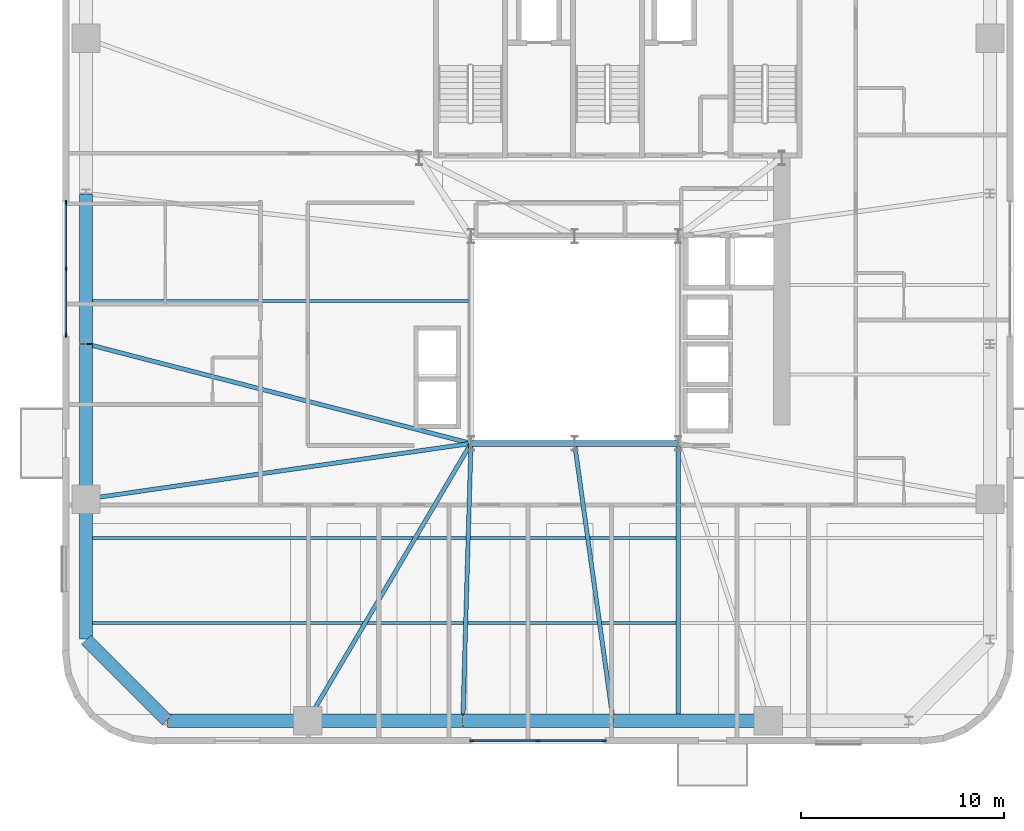
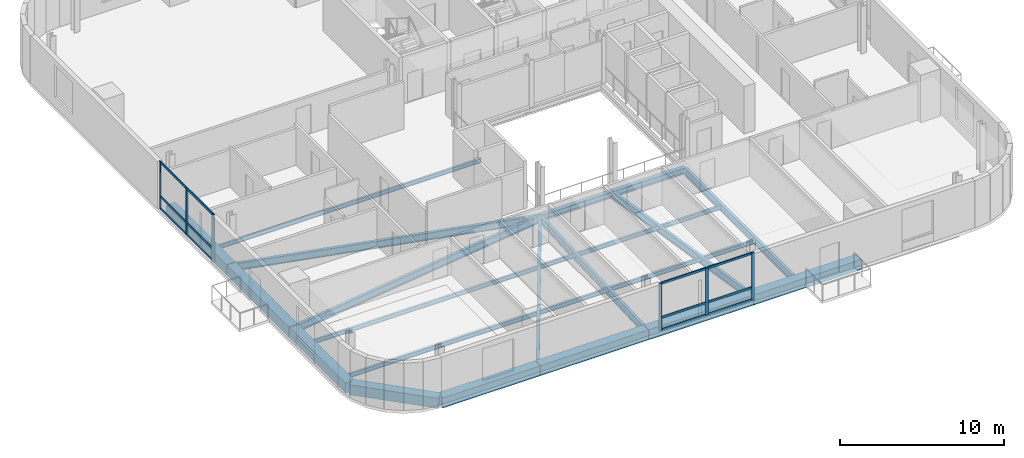
# One storey, part 3 of 16: 19 beams, 18 members, 2 elements without a shape of their own.
"""IFC4 building model written with IfcOpenShell, lengths in metres."""

from ifc_helpers import new_model, si_unit, direction, frame, origin, origin_2d, place, context, subcontext, project, spatial, rectangle, i_section, extrude, source, transform, mapped, material, material_profile, profile_set, type_object, element, aggregate, save


model = new_model("IFC4")

# Units and contexts
model_context = context("Model", 3, precision=1e-05, world=origin(), true_north=direction((0.0, 1.0)))
body_context = subcontext(model_context, "Body", "Model", "MODEL_VIEW")
ifc_project = project(units=[si_unit("LENGTHUNIT", "METRE"), si_unit("AREAUNIT", "SQUARE_METRE"), si_unit("VOLUMEUNIT", "CUBIC_METRE"), si_unit("PLANEANGLEUNIT", "RADIAN"), si_unit("MASSUNIT", "GRAM", prefix="KILO")], contexts=[model_context])

# Site, building, storey
site_placement = place(None, origin())
site = spatial("IfcSite", under=ifc_project, at=site_placement, CompositionType="ELEMENT")
building_placement = place(site_placement, origin())
building = spatial("IfcBuilding", under=site, at=building_placement, Name="Vardaveli Station Tower", CompositionType="ELEMENT")
storey_placement = place(building_placement, frame((0.0, 0.0, 222.300048828125)))
storey = spatial("IfcBuildingStorey", under=building, at=storey_placement, Name="L57", CompositionType="ELEMENT", Elevation=222.300048828125)

# Beams
ifc_material_1 = material(Name="Structural steel S355J2", Category="steel")
ifc_material_profile_1 = material_profile(ifc_material_1, i_section(OverallWidth=0.300048828125, OverallDepth=0.449951171875, WebThickness=0.013916015625, FlangeThickness=0.02587890625, FilletRadius=0.027099609375, at=origin_2d()), Name="HEB 450")
ifc_profile_set_1 = profile_set([ifc_material_profile_1], Name="Structural steel S355J2")
beam_type_1 = type_object("IfcBeamType", Name="BM-HEB450", PredefinedType="BEAM", material=ifc_profile_set_1)
shared_shape_1 = source(origin(), body_context, "Body", "SweptSolid", [
    extrude(i_section(OverallWidth=0.300048828125, OverallDepth=0.449951171875, WebThickness=0.013916015625, FlangeThickness=0.02587890625, FilletRadius=0.027099609375, at=origin_2d()), origin(), (0.0, 0.0, 1.0), 5.06005859375),
])
beam_1_placement = place(storey_placement, frame((31.219970703125, 16.60009765625, -0.445068359375), z_axis=(1.0, 0.0, 0.0), x_axis=(0.0, 1.0, 0.0)))
element("IfcBeam", 1, at=beam_1_placement, inside=storey, type_object=beam_type_1, Name="ABM-L57-01", PredefinedType="BEAM", context=body_context, shape_type="MappedRepresentation", body=[
    mapped(shared_shape_1, transform((0.0, 0.0, 0.0), scale=1.0)),
])
shared_shape_2 = source(origin(), body_context, "Body", "SweptSolid", [
    extrude(i_section(OverallWidth=0.300048828125, OverallDepth=0.449951171875, WebThickness=0.013916015625, FlangeThickness=0.02587890625, FilletRadius=0.027099609375, at=origin_2d()), origin(), (0.0, 0.0, 1.0), 5.059814453125),
])
beam_2_placement = place(storey_placement, frame((36.320068359375, 16.60009765625, -0.445068359375), z_axis=(1.0, 0.0, 0.0), x_axis=(0.0, 1.0, 0.0)))
element("IfcBeam", 2, at=beam_2_placement, inside=storey, type_object=beam_type_1, Name="ABM-L57-02", PredefinedType="BEAM", context=body_context, shape_type="MappedRepresentation", body=[
    mapped(shared_shape_2, transform((0.0, 0.0, 0.0), scale=1.0)),
])
ifc_material_2 = material(Name="Precast concrete C45/55", Category="concrete")
ifc_material_profile_2 = material_profile(ifc_material_2, rectangle(XDim=0.64990234375, YDim=0.75, at=origin_2d()), Name="LPB 650x750")
ifc_profile_set_2 = profile_set([ifc_material_profile_2], Name="Precast concrete C45/55")
beam_type_2 = type_object("IfcBeamType", Name="BM-LPB-750", PredefinedType="BEAM", material=ifc_profile_set_2)
shared_shape_3 = source(origin(), body_context, "Body", "SweptSolid", [
    extrude(rectangle(XDim=0.64990234375, YDim=0.75, at=origin_2d()), origin(), (0.0, 0.0, 1.0), 7.60009765625),
])
for number, where, z_axis, x_axis, name in (
    (3, (23.179931640625, 2.949951171875, -0.594970703125), (1.0, 0.0, 0.0), (0.0, 1.0, 0.0), "RBM-L57-01"),
    (4, (38.219970703125, 2.949951171875, -0.594970703125), (1.0, 0.0, 0.0), (0.0, 1.0, 0.0), "RBM-L57-03"),
    (5, (12.25, 21.47998046875, -0.594970703125), (0.0, -1.0, 0.0), (1.0, 0.0, 0.0), "RBM-L57-21"),
):
    element("IfcBeam", number, at=place(storey_placement, frame(where, z_axis=z_axis, x_axis=x_axis)), inside=storey, type_object=beam_type_2, Name=name, PredefinedType="BEAM", context=body_context, shape_type="MappedRepresentation", body=[
        mapped(shared_shape_3, transform((0.0, 0.0, 0.0), scale=1.0)),
    ])
shared_shape_4 = source(origin(), body_context, "Body", "SweptSolid", [
    extrude(rectangle(XDim=0.64990234375, YDim=0.75, at=origin_2d()), origin(), (0.0, 0.0, 1.0), 7.35986328125),
])
for number, where, z_axis, x_axis, name in (
    (6, (30.820068359375, 2.949951171875, -0.594970703125), (1.0, 0.0, 0.0), (0.0, 1.0, 0.0), "RBM-L57-02"),
    (7, (12.25, 28.8798828125, -0.594970703125), (0.0, -1.0, 0.0), (1.0, 0.0, 0.0), "RBM-L57-20"),
):
    element("IfcBeam", number, at=place(storey_placement, frame(where, z_axis=z_axis, x_axis=x_axis)), inside=storey, type_object=beam_type_2, Name=name, PredefinedType="BEAM", context=body_context, shape_type="MappedRepresentation", body=[
        mapped(shared_shape_4, transform((0.0, 0.0, 0.0), scale=1.0)),
    ])
shared_shape_5 = source(origin(), body_context, "Body", "SweptSolid", [
    extrude(rectangle(XDim=0.64990234375, YDim=0.75, at=origin_2d()), origin(), (0.0, 0.0, 1.0), 6.869873046875),
])
beam_3_placement = place(storey_placement, frame((16.27001953125, 2.949951171875, -0.594970703125), z_axis=(1.0, 0.0, 0.0), x_axis=(0.0, 1.0, 0.0)))
element("IfcBeam", 8, at=beam_3_placement, inside=storey, type_object=beam_type_2, Name="RBM-L57-24", PredefinedType="BEAM", context=body_context, shape_type="MappedRepresentation", body=[
    mapped(shared_shape_5, transform((0.0, 0.0, 0.0), scale=1.0)),
])
shared_shape_6 = source(origin(), body_context, "Body", "SweptSolid", [
    extrude(rectangle(XDim=0.64990234375, YDim=0.75, at=origin_2d()), origin(), (0.0, 0.0, 1.0), 5.61669921875),
])
beam_4_placement = place(storey_placement, frame((12.26416015625, 6.935791015625, -0.594970703125), z_axis=(0.707106781187, -0.707106781187, 0.0), x_axis=(0.707106781187, 0.707106781187, 0.0)))
element("IfcBeam", 9, at=beam_4_placement, inside=storey, type_object=beam_type_2, Name="RBM-L57-23", PredefinedType="BEAM", context=body_context, shape_type="MappedRepresentation", body=[
    mapped(shared_shape_6, transform((0.0, 0.0, 0.0), scale=1.0)),
])
shared_shape_7 = source(origin(), body_context, "Body", "SweptSolid", [
    extrude(rectangle(XDim=0.64990234375, YDim=0.75, at=origin_2d()), origin(), (0.0, 0.0, 1.0), 6.8701171875),
])
beam_5_placement = place(storey_placement, frame((12.25, 13.840087890625, -0.594970703125), z_axis=(0.0, -1.0, 0.0), x_axis=(1.0, 0.0, 0.0)))
element("IfcBeam", 10, at=beam_5_placement, inside=storey, type_object=beam_type_2, Name="RBM-L57-22", PredefinedType="BEAM", context=body_context, shape_type="MappedRepresentation", body=[
    mapped(shared_shape_7, transform((0.0, 0.0, 0.0), scale=1.0)),
])
ifc_material_profile_3 = material_profile(ifc_material_1, i_section(OverallWidth=0.2099609375, OverallDepth=0.550048828125, WebThickness=0.010986328125, FlangeThickness=0.01708984375, FilletRadius=0.02392578125, at=origin_2d()), Name="IPE 550")
ifc_profile_set_3 = profile_set([ifc_material_profile_3], Name="Structural steel S355J2")
beam_type_3 = type_object("IfcBeamType", Name="BM-IPE550", PredefinedType="BEAM", material=ifc_profile_set_3)
shared_shape_8 = source(origin(), body_context, "Body", "SweptSolid", [
    extrude(i_section(OverallWidth=0.2099609375, OverallDepth=0.550048828125, WebThickness=0.010986328125, FlangeThickness=0.01708984375, FilletRadius=0.02392578125, at=origin_2d()), origin(), (0.0, 0.0, 1.0), 13.469970703125),
])
beam_6_placement = place(storey_placement, frame((41.39990234375, 2.989990234375, -0.4951171875), z_axis=(0.0, 1.0, 0.0), x_axis=(-1.0, 0.0, 0.0)))
element("IfcBeam", 11, at=beam_6_placement, inside=storey, type_object=beam_type_3, Name="NSM-L57-S2", PredefinedType="BEAM", context=body_context, shape_type="MappedRepresentation", body=[
    mapped(shared_shape_8, transform((0.0, 0.0, 0.0), scale=1.0)),
])
shared_shape_9 = source(origin(), body_context, "Body", "SweptSolid", [
    extrude(i_section(OverallWidth=0.2099609375, OverallDepth=0.550048828125, WebThickness=0.010986328125, FlangeThickness=0.01708984375, FilletRadius=0.02392578125, at=origin_2d()), origin(), (0.0, 0.0, 1.0), 15.8017578125),
])
beam_7_placement = place(storey_placement, frame((23.170166015625, 2.96728515625, -0.4951171875), z_axis=(0.507521713546, 0.86163896748, 0.0), x_axis=(-0.86163896748, 0.507521713546, 0.0)))
element("IfcBeam", 12, at=beam_7_placement, inside=storey, type_object=beam_type_3, Name="GBM-L57-01", PredefinedType="BEAM", context=body_context, shape_type="MappedRepresentation", body=[
    mapped(shared_shape_9, transform((0.0, 0.0, 0.0), scale=1.0)),
])
shared_shape_10 = source(origin(), body_context, "Body", "SweptSolid", [
    extrude(i_section(OverallWidth=0.2099609375, OverallDepth=0.550048828125, WebThickness=0.010986328125, FlangeThickness=0.01708984375, FilletRadius=0.02392578125, at=origin_2d()), origin(), (0.0, 0.0, 1.0), 13.615966796875),
])
beam_8_placement = place(storey_placement, frame((30.800537109375, 2.969970703125, -0.4951171875), z_axis=(0.029298411379, 0.9995707094, 0.0), x_axis=(-0.9995707094, 0.029298411379, 0.0)))
element("IfcBeam", 13, at=beam_8_placement, inside=storey, type_object=beam_type_3, Name="GBM-L57-02", PredefinedType="BEAM", context=body_context, shape_type="MappedRepresentation", body=[
    mapped(shared_shape_10, transform((0.0, 0.0, 0.0), scale=1.0)),
])
shared_shape_11 = source(origin(), body_context, "Body", "SweptSolid", [
    extrude(i_section(OverallWidth=0.2099609375, OverallDepth=0.550048828125, WebThickness=0.010986328125, FlangeThickness=0.01708984375, FilletRadius=0.02392578125, at=origin_2d()), origin(), (0.0, 0.0, 1.0), 13.741455078125),
])
beam_9_placement = place(storey_placement, frame((38.197265625, 2.9697265625, -0.4951171875), z_axis=(-0.137868554024, 0.990450534762, 0.0), x_axis=(-0.990450534762, -0.137868554024, 0.0)))
element("IfcBeam", 14, at=beam_9_placement, inside=storey, type_object=beam_type_3, Name="GBM-L57-03", PredefinedType="BEAM", context=body_context, shape_type="MappedRepresentation", body=[
    mapped(shared_shape_11, transform((0.0, 0.0, 0.0), scale=1.0)),
])
shared_shape_12 = source(origin(), body_context, "Body", "SweptSolid", [
    extrude(i_section(OverallWidth=0.2099609375, OverallDepth=0.550048828125, WebThickness=0.010986328125, FlangeThickness=0.01708984375, FilletRadius=0.02392578125, at=origin_2d()), origin(), (0.0, 0.0, 1.0), 19.533447265625),
])
beam_10_placement = place(storey_placement, frame((12.269287109375, 21.494873046875, -0.4951171875), z_axis=(0.968159081778, -0.250335759272, 0.0), x_axis=(0.250335759272, 0.968159081778, 0.0)))
element("IfcBeam", 15, at=beam_10_placement, inside=storey, type_object=beam_type_3, Name="GBM-L57-09", PredefinedType="BEAM", context=body_context, shape_type="MappedRepresentation", body=[
    mapped(shared_shape_12, transform((0.0, 0.0, 0.0), scale=1.0)),
])
shared_shape_13 = source(origin(), body_context, "Body", "SweptSolid", [
    extrude(i_section(OverallWidth=0.2099609375, OverallDepth=0.550048828125, WebThickness=0.010986328125, FlangeThickness=0.01708984375, FilletRadius=0.02392578125, at=origin_2d()), origin(), (0.0, 0.0, 1.0), 19.107177734375),
])
beam_11_placement = place(storey_placement, frame((12.269775390625, 13.86279296875, -0.4951171875), z_axis=(0.989707072711, 0.143108036903, 0.0), x_axis=(-0.143108036903, 0.989707072711, 0.0)))
element("IfcBeam", 16, at=beam_11_placement, inside=storey, type_object=beam_type_3, Name="GBM-L57-10", PredefinedType="BEAM", context=body_context, shape_type="MappedRepresentation", body=[
    mapped(shared_shape_13, transform((0.0, 0.0, 0.0), scale=1.0)),
])
ifc_material_profile_4 = material_profile(ifc_material_1, i_section(OverallWidth=0.14990234375, OverallDepth=0.300048828125, WebThickness=0.007080078125, FlangeThickness=0.0107421875, FilletRadius=0.014892578125, at=origin_2d()), Name="IPE 300")
ifc_profile_set_4 = profile_set([ifc_material_profile_4], Name="Structural steel S355J2")
beam_type_4 = type_object("IfcBeamType", Name="BM-IPE300", PredefinedType="JOIST", material=ifc_profile_set_4)
shared_shape_14 = source(origin(), body_context, "Body", "SweptSolid", [
    extrude(i_section(OverallWidth=0.14990234375, OverallDepth=0.300048828125, WebThickness=0.007080078125, FlangeThickness=0.0107421875, FilletRadius=0.014892578125, at=origin_2d()), origin(), (0.0, 0.0, 1.0), 28.998046875),
])
for number, where, z_axis, x_axis, name in (
    (17, (12.2900390625, 7.75, -0.3701171875), (1.0, 0.0, 0.0), (0.0, 1.0, 0.0), "SJ-L57-S01"),
    (18, (12.2900390625, 11.949951171875, -0.3701171875), (1.0, 0.0, 0.0), (0.0, 1.0, 0.0), "SJ-L57-S03"),
):
    element("IfcBeam", number, at=place(storey_placement, frame(where, z_axis=z_axis, x_axis=x_axis)), inside=storey, type_object=beam_type_4, Name=name, PredefinedType="JOIST", context=body_context, shape_type="MappedRepresentation", body=[
        mapped(shared_shape_14, transform((0.0, 0.0, 0.0), scale=1.0)),
    ])
shared_shape_15 = source(origin(), body_context, "Body", "SweptSolid", [
    extrude(i_section(OverallWidth=0.14990234375, OverallDepth=0.300048828125, WebThickness=0.007080078125, FlangeThickness=0.0107421875, FilletRadius=0.014892578125, at=origin_2d()), origin(), (0.0, 0.0, 1.0), 18.7978515625),
])
beam_12_placement = place(storey_placement, frame((12.2900390625, 23.60009765625, -0.3701171875), z_axis=(1.0, 0.0, 0.0), x_axis=(0.0, 1.0, 0.0)))
element("IfcBeam", 19, at=beam_12_placement, inside=storey, type_object=beam_type_4, Name="SJ-L57-W06", PredefinedType="JOIST", context=body_context, shape_type="MappedRepresentation", body=[
    mapped(shared_shape_15, transform((0.0, 0.0, 0.0), scale=1.0)),
])

# Curtain wall, members
ifc_material_3 = material(Name="Travertine stone and solar-control glass", Category="masonry")
curtain_wall_type = type_object("IfcCurtainWallType", Name="CW-SYS-5", PredefinedType="NOTDEFINED", material=ifc_material_3)
curtain_wall_1_placement = place(storey_placement, origin())
curtain_wall_1 = element("IfcCurtainWall", 20, at=curtain_wall_1_placement, inside=storey, type_object=curtain_wall_type, Name="CW-L57-S", PredefinedType="NOTDEFINED")
ifc_material_4 = material(Name="Anodised aluminium alloy 6063-T6", Category="aluminium")
ifc_material_profile_5 = material_profile(ifc_material_4, rectangle(XDim=0.080078125, YDim=0.1650390625, at=origin_2d()), Name="CWT 80x165")
ifc_profile_set_5 = profile_set([ifc_material_profile_5], Name="Anodised aluminium alloy 6063-T6")
member_type_1 = type_object("IfcMemberType", Name="CW-SYS-5-TRAN", PredefinedType="NOTDEFINED", material=ifc_profile_set_5)
shared_shape_16 = source(origin(), body_context, "Body", "SweptSolid", [
    extrude(rectangle(XDim=0.080078125, YDim=0.1650390625, at=origin_2d()), origin(), (0.0, 0.0, 1.0), 3.179931640625),
])
member_1_placement = place(storey_placement, frame((31.280029296875, 1.9599609375, 0.0400390625), z_axis=(1.0, 0.0, 0.0), x_axis=(0.0, 1.0, 0.0)))
member_1 = element("IfcMember", 21, at=member_1_placement, type_object=member_type_1, Name="CW-5 transom 1.1", ObjectType="TRANSOM", PredefinedType="USERDEFINED", context=body_context, shape_type="MappedRepresentation", body=[
    mapped(shared_shape_16, transform((0.0, 0.0, 0.0), scale=1.0)),
])
member_2_placement = place(storey_placement, frame((31.280029296875, 1.9599609375, 0.949951171875), z_axis=(1.0, 0.0, 0.0), x_axis=(0.0, 1.0, 0.0)))
member_2 = element("IfcMember", 22, at=member_2_placement, type_object=member_type_1, Name="CW-5 transom 1.2", ObjectType="TRANSOM", PredefinedType="USERDEFINED", context=body_context, shape_type="MappedRepresentation", body=[
    mapped(shared_shape_16, transform((0.0, 0.0, 0.0), scale=1.0)),
])
member_3_placement = place(storey_placement, frame((31.280029296875, 1.9599609375, 3.489990234375), z_axis=(1.0, 0.0, 0.0), x_axis=(0.0, 1.0, 0.0)))
member_3 = element("IfcMember", 23, at=member_3_placement, type_object=member_type_1, Name="CW-5 transom 1.3", ObjectType="TRANSOM", PredefinedType="USERDEFINED", context=body_context, shape_type="MappedRepresentation", body=[
    mapped(shared_shape_16, transform((0.0, 0.0, 0.0), scale=1.0)),
])
member_4_placement = place(storey_placement, frame((34.5400390625, 1.9599609375, 0.0400390625), z_axis=(1.0, 0.0, 0.0), x_axis=(0.0, 1.0, 0.0)))
member_4 = element("IfcMember", 24, at=member_4_placement, type_object=member_type_1, Name="CW-5 transom 2.1", ObjectType="TRANSOM", PredefinedType="USERDEFINED", context=body_context, shape_type="MappedRepresentation", body=[
    mapped(shared_shape_16, transform((0.0, 0.0, 0.0), scale=1.0)),
])
member_5_placement = place(storey_placement, frame((34.5400390625, 1.9599609375, 0.949951171875), z_axis=(1.0, 0.0, 0.0), x_axis=(0.0, 1.0, 0.0)))
member_5 = element("IfcMember", 25, at=member_5_placement, type_object=member_type_1, Name="CW-5 transom 2.2", ObjectType="TRANSOM", PredefinedType="USERDEFINED", context=body_context, shape_type="MappedRepresentation", body=[
    mapped(shared_shape_16, transform((0.0, 0.0, 0.0), scale=1.0)),
])
member_6_placement = place(storey_placement, frame((34.5400390625, 1.9599609375, 3.489990234375), z_axis=(1.0, 0.0, 0.0), x_axis=(0.0, 1.0, 0.0)))
member_6 = element("IfcMember", 26, at=member_6_placement, type_object=member_type_1, Name="CW-5 transom 2.3", ObjectType="TRANSOM", PredefinedType="USERDEFINED", context=body_context, shape_type="MappedRepresentation", body=[
    mapped(shared_shape_16, transform((0.0, 0.0, 0.0), scale=1.0)),
])

curtain_wall_2_placement = place(storey_placement, origin())
curtain_wall_2 = element("IfcCurtainWall", 27, at=curtain_wall_2_placement, inside=storey, type_object=curtain_wall_type, Name="CW-L57-W", PredefinedType="NOTDEFINED")
member_7_placement = place(storey_placement, frame((11.260009765625, 28.419921875, 0.0400390625), z_axis=(0.0, -1.0, 0.0), x_axis=(1.0, 0.0, 0.0)))
member_7 = element("IfcMember", 28, at=member_7_placement, type_object=member_type_1, Name="CW-5 transom 1.1", ObjectType="TRANSOM", PredefinedType="USERDEFINED", context=body_context, shape_type="MappedRepresentation", body=[
    mapped(shared_shape_16, transform((0.0, 0.0, 0.0), scale=1.0)),
])
member_8_placement = place(storey_placement, frame((11.260009765625, 28.419921875, 0.949951171875), z_axis=(0.0, -1.0, 0.0), x_axis=(1.0, 0.0, 0.0)))
member_8 = element("IfcMember", 29, at=member_8_placement, type_object=member_type_1, Name="CW-5 transom 1.2", ObjectType="TRANSOM", PredefinedType="USERDEFINED", context=body_context, shape_type="MappedRepresentation", body=[
    mapped(shared_shape_16, transform((0.0, 0.0, 0.0), scale=1.0)),
])
member_9_placement = place(storey_placement, frame((11.260009765625, 28.419921875, 3.489990234375), z_axis=(0.0, -1.0, 0.0), x_axis=(1.0, 0.0, 0.0)))
member_9 = element("IfcMember", 30, at=member_9_placement, type_object=member_type_1, Name="CW-5 transom 1.3", ObjectType="TRANSOM", PredefinedType="USERDEFINED", context=body_context, shape_type="MappedRepresentation", body=[
    mapped(shared_shape_16, transform((0.0, 0.0, 0.0), scale=1.0)),
])
member_10_placement = place(storey_placement, frame((11.260009765625, 25.159912109375, 0.0400390625), z_axis=(0.0, -1.0, 0.0), x_axis=(1.0, 0.0, 0.0)))
member_10 = element("IfcMember", 31, at=member_10_placement, type_object=member_type_1, Name="CW-5 transom 2.1", ObjectType="TRANSOM", PredefinedType="USERDEFINED", context=body_context, shape_type="MappedRepresentation", body=[
    mapped(shared_shape_16, transform((0.0, 0.0, 0.0), scale=1.0)),
])
member_11_placement = place(storey_placement, frame((11.260009765625, 25.159912109375, 0.949951171875), z_axis=(0.0, -1.0, 0.0), x_axis=(1.0, 0.0, 0.0)))
member_11 = element("IfcMember", 32, at=member_11_placement, type_object=member_type_1, Name="CW-5 transom 2.2", ObjectType="TRANSOM", PredefinedType="USERDEFINED", context=body_context, shape_type="MappedRepresentation", body=[
    mapped(shared_shape_16, transform((0.0, 0.0, 0.0), scale=1.0)),
])
member_12_placement = place(storey_placement, frame((11.260009765625, 25.159912109375, 3.489990234375), z_axis=(0.0, -1.0, 0.0), x_axis=(1.0, 0.0, 0.0)))
member_12 = element("IfcMember", 33, at=member_12_placement, type_object=member_type_1, Name="CW-5 transom 2.3", ObjectType="TRANSOM", PredefinedType="USERDEFINED", context=body_context, shape_type="MappedRepresentation", body=[
    mapped(shared_shape_16, transform((0.0, 0.0, 0.0), scale=1.0)),
])

# Member
ifc_material_profile_6 = material_profile(ifc_material_4, rectangle(XDim=0.080078125, YDim=0.205078125, at=origin_2d()), Name="CWM 80x205")
ifc_profile_set_6 = profile_set([ifc_material_profile_6], Name="Anodised aluminium alloy 6063-T6")
member_type_2 = type_object("IfcMemberType", Name="CW-SYS-5-MULL", PredefinedType="MULLION", material=ifc_profile_set_6)
shared_shape_17 = source(origin(), body_context, "Body", "SweptSolid", [
    extrude(rectangle(XDim=0.080078125, YDim=0.205078125, at=origin_2d()), origin(), (0.0, 0.0, 1.0), 3.530029296875),
])
member_13_placement = place(storey_placement, frame((31.239990234375, 1.9599609375, 0.0), z_axis=(0.0, 0.0, 1.0), x_axis=(0.0, 1.0, 0.0)))
member_13 = element("IfcMember", 34, at=member_13_placement, type_object=member_type_2, Name="CW-5 mullion 1", PredefinedType="MULLION", context=body_context, shape_type="MappedRepresentation", body=[
    mapped(shared_shape_17, transform((0.0, 0.0, 0.0), scale=1.0)),
])

member_14_placement = place(storey_placement, frame((34.5, 1.9599609375, 0.0), z_axis=(0.0, 0.0, 1.0), x_axis=(0.0, 1.0, 0.0)))
member_14 = element("IfcMember", 35, at=member_14_placement, type_object=member_type_2, Name="CW-5 mullion 2", PredefinedType="MULLION", context=body_context, shape_type="MappedRepresentation", body=[
    mapped(shared_shape_17, transform((0.0, 0.0, 0.0), scale=1.0)),
])

member_15_placement = place(storey_placement, frame((37.760009765625, 1.9599609375, 0.0), z_axis=(0.0, 0.0, 1.0), x_axis=(0.0, 1.0, 0.0)))
member_15 = element("IfcMember", 36, at=member_15_placement, type_object=member_type_2, Name="CW-5 mullion 3", PredefinedType="MULLION", context=body_context, shape_type="MappedRepresentation", body=[
    mapped(shared_shape_17, transform((0.0, 0.0, 0.0), scale=1.0)),
])

aggregate(curtain_wall_1, [member_13, member_14, member_15, member_1, member_2, member_3, member_4, member_5, member_6])

member_16_placement = place(storey_placement, frame((11.260009765625, 28.4599609375, 0.0), z_axis=(0.0, 0.0, 1.0), x_axis=(1.0, 0.0, 0.0)))
member_16 = element("IfcMember", 37, at=member_16_placement, type_object=member_type_2, Name="CW-5 mullion 1", PredefinedType="MULLION", context=body_context, shape_type="MappedRepresentation", body=[
    mapped(shared_shape_17, transform((0.0, 0.0, 0.0), scale=1.0)),
])

member_17_placement = place(storey_placement, frame((11.260009765625, 25.199951171875, 0.0), z_axis=(0.0, 0.0, 1.0), x_axis=(1.0, 0.0, 0.0)))
member_17 = element("IfcMember", 38, at=member_17_placement, type_object=member_type_2, Name="CW-5 mullion 2", PredefinedType="MULLION", context=body_context, shape_type="MappedRepresentation", body=[
    mapped(shared_shape_17, transform((0.0, 0.0, 0.0), scale=1.0)),
])

member_18_placement = place(storey_placement, frame((11.260009765625, 21.93994140625, 0.0), z_axis=(0.0, 0.0, 1.0), x_axis=(1.0, 0.0, 0.0)))
member_18 = element("IfcMember", 39, at=member_18_placement, type_object=member_type_2, Name="CW-5 mullion 3", PredefinedType="MULLION", context=body_context, shape_type="MappedRepresentation", body=[
    mapped(shared_shape_17, transform((0.0, 0.0, 0.0), scale=1.0)),
])

aggregate(curtain_wall_2, [member_16, member_17, member_18, member_7, member_8, member_9, member_10, member_11, member_12])

save(model, "model.ifc")
